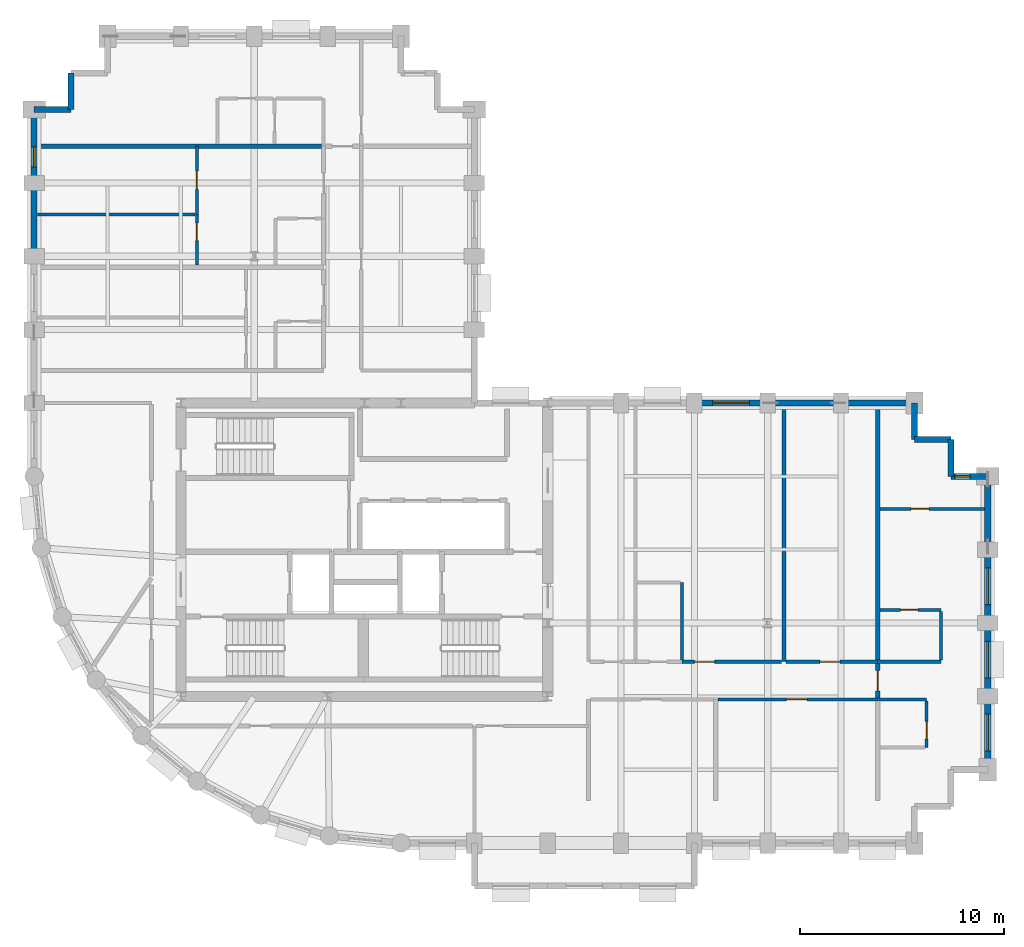
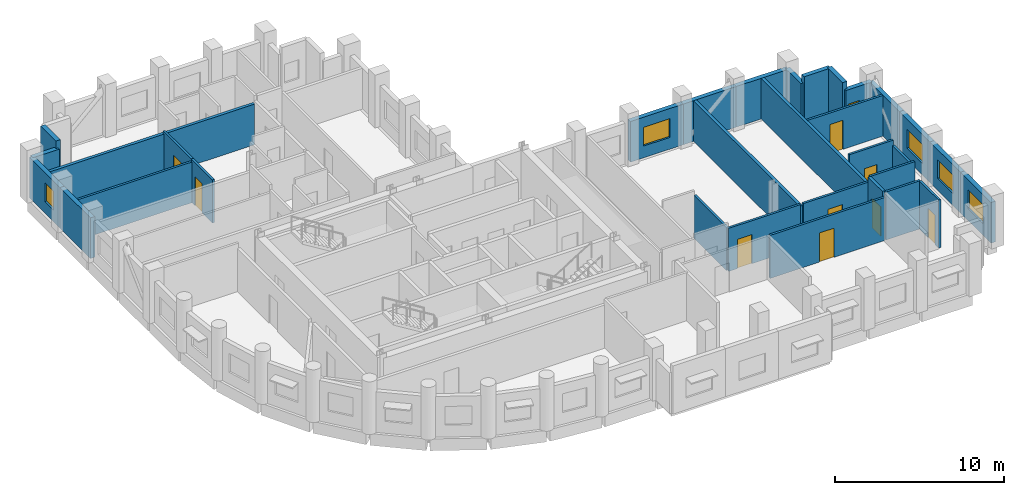
# One storey, part 6 of 11: 32 walls, 9 doors, 6 windows, 15 openings.
"""IFC4 building model written with IfcOpenShell, lengths in metres."""

import ifcopenshell
import ifcopenshell.guid

model = None  # the IFC model being written
_history = None  # IfcOwnerHistory: only IFC2X3 demands one
_inside = {}  # id of a spatial element -> (the spatial element, [elements in it])
_under = {}  # id of a project, library or spatial element -> (it, [spatial elements below it])
_declared = {}  # id of a project -> (the project, [libraries it declares])
_typed = {}  # id of a type object -> (the type object, [elements of that type])
_made_of = {}  # id of a material, layer set ... -> (it, [elements and type objects made of it])


def new_model(schema):
    """Start an empty IFC model of exactly this schema.

    Asked for "IFC4X3", IfcOpenShell would pick the latest addendum, in which some entities
    have other attributes; the version numbers below select the first issue.
    IFC2X3 requires an IfcOwnerHistory on every rooted entity: one is made here for all.
    """
    global model, _history
    if schema == "IFC4X3":
        model = ifcopenshell.file(schema_version=(4, 3, 0, 0))
    else:
        model = ifcopenshell.file(schema=schema)
    _inside.clear()
    _under.clear()
    _declared.clear()
    _typed.clear()
    _made_of.clear()
    _history = None
    if model.schema == "IFC2X3":
        org = make("IfcOrganization", Name="unknown")
        user = make(
            "IfcPersonAndOrganization",
            ThePerson=make("IfcPerson", FamilyName="unknown"),
            TheOrganization=org,
        )
        app = make(
            "IfcApplication",
            ApplicationDeveloper=org,
            Version="unknown",
            ApplicationFullName="unknown",
            ApplicationIdentifier="unknown",
        )
        _history = make(
            "IfcOwnerHistory",
            OwningUser=user,
            OwningApplication=app,
            ChangeAction="ADDED",
            CreationDate=0,
        )
    return model


def make(cls, **values):
    """One entity of the class cls with the attributes given. An attribute that is None is left unset."""
    return model.create_entity(
        cls, **{name: value for name, value in values.items() if value is not None}
    )


def rooted(cls, **values):
    """An entity with a GlobalId (a new one), such as an element, a storey or a relation."""
    return make(cls, GlobalId=ifcopenshell.guid.new(), OwnerHistory=_history, **values)


def si_unit(unit_type, name, prefix=None):
    """IfcSIUnit, for example si_unit("LENGTHUNIT", "METRE", prefix="MILLI")."""
    return make("IfcSIUnit", UnitType=unit_type, Prefix=prefix, Name=name)


def assignment(units):
    """IfcUnitAssignment: the units of a project."""
    return None if units is None else make("IfcUnitAssignment", Units=units)


def point(xyz):
    """IfcCartesianPoint."""
    return None if xyz is None else make("IfcCartesianPoint", Coordinates=xyz)


def direction(xyz):
    """IfcDirection."""
    return None if xyz is None else make("IfcDirection", DirectionRatios=xyz)


def frame(location, z_axis=None, x_axis=None):
    """IfcAxis2Placement3D, a coordinate frame: its origin and axes. An axis left out is left unset."""
    return make(
        "IfcAxis2Placement3D",
        Location=point(location),
        Axis=direction(z_axis),
        RefDirection=direction(x_axis),
    )


def frame_2d(location, x_axis=None):
    """IfcAxis2Placement2D, a coordinate frame in the plane: its origin and x axis."""
    return make(
        "IfcAxis2Placement2D", Location=point(location), RefDirection=direction(x_axis)
    )


def origin():
    """The frame at (0, 0, 0) with its axes left unset."""
    return frame((0.0, 0.0, 0.0))


def place(relative_to, where):
    """IfcLocalPlacement: puts the frame where relative to a parent placement (None: the world)."""
    return make(
        "IfcLocalPlacement", PlacementRelTo=relative_to, RelativePlacement=where
    )


def context(
    kind, dimensions, precision=None, world=None, true_north=None, identifier=None
):
    """IfcGeometricRepresentationContext, for example the 3D "Model" context."""
    return make(
        "IfcGeometricRepresentationContext",
        ContextIdentifier=identifier,
        ContextType=kind,
        CoordinateSpaceDimension=dimensions,
        Precision=precision,
        WorldCoordinateSystem=world,
        TrueNorth=true_north,
    )


def subcontext(parent, identifier, kind, view, scale=None):
    """IfcGeometricRepresentationSubContext, for example "Body" below "Model"."""
    return make(
        "IfcGeometricRepresentationSubContext",
        ContextIdentifier=identifier,
        ContextType=kind,
        ParentContext=parent,
        TargetScale=scale,
        TargetView=view,
    )


def project(units=None, contexts=None):
    """IfcProject with its units and contexts."""
    return rooted(
        "IfcProject",
        Name="project",
        RepresentationContexts=contexts,
        UnitsInContext=assignment(units),
    )


def spatial(cls, under=None, at=None, **own):
    """A site, building, storey or space (cls), placed at a placement, below another one or the project."""
    s = rooted(cls, ObjectPlacement=at, **own)
    if under is not None:
        _under.setdefault(under.id(), (under, []))[1].append(s)
    return s


def profile(cls, at=None, kind="AREA", **sizes):
    """A parametric profile (cls). Its sizes go by their IFC names, for example OverallWidth=200.0."""
    return make(cls, ProfileType=kind, Position=at, **sizes)


def rectangle(**sizes):
    """IfcRectangleProfileDef."""
    return profile("IfcRectangleProfileDef", **sizes)


def extrude(swept, where, along, depth):
    """IfcExtrudedAreaSolid: the profile swept, set in the frame where, extruded along a direction by depth."""
    return make(
        "IfcExtrudedAreaSolid",
        SweptArea=swept,
        Position=where,
        ExtrudedDirection=direction(along),
        Depth=depth,
    )


def shape(context_of_items, identifier, shape_type, items):
    """IfcShapeRepresentation: the items that make up one representation, for example the "Body"."""
    return make(
        "IfcShapeRepresentation",
        ContextOfItems=context_of_items,
        RepresentationIdentifier=identifier,
        RepresentationType=shape_type,
        Items=items,
    )


def material(Name=None, Category=None):
    """IfcMaterial."""
    return make("IfcMaterial", Name=Name, Category=Category)


def layer(
    of_material, thickness, ventilated=None, Name=None, Category=None, Priority=None
):
    """IfcMaterialLayer: one layer of a wall or slab, of a material (None: an air gap)."""
    return make(
        "IfcMaterialLayer",
        Material=of_material,
        LayerThickness=thickness,
        IsVentilated=ventilated,
        Name=Name,
        Category=Category,
        Priority=Priority,
    )


def layer_set(layers, Name=None):
    """IfcMaterialLayerSet."""
    return make("IfcMaterialLayerSet", MaterialLayers=layers, LayerSetName=Name)


def made_of(thing, what):
    """Note that an element or type object is made of a material, layer set ...; save() writes the relation."""
    if what is not None:
        _made_of.setdefault(what.id(), (what, []))[1].append(thing)
    return thing


def type_object(cls, material=None, **own):
    """A type object (cls), such as IfcWallType, which elements share."""
    return made_of(rooted(cls, **own), material)


def element(
    cls,
    number,
    at=None,
    inside=None,
    cuts=None,
    type_object=None,
    material=None,
    context=None,
    identifier="Body",
    shape_type=None,
    held_by="IfcProductDefinitionShape",
    body=None,
    shapes=None,
    **own,
):
    """One element of the class cls, such as IfcWall. Its Tag is "e" and its number.

    at: its placement. inside: the storey or other place that contains it. cuts: it is an
    opening in that element (IfcRelVoidsElement). A single representation is given by context,
    identifier, shape_type and body (its items); several are given by shapes. held_by: the class
    of the entity that holds the representations. save() writes the other relations.
    """
    e = rooted(cls, Tag="e%d" % number, ObjectPlacement=at, **own)
    if body is not None:
        shapes = [shape(context, identifier, shape_type, body)]
    if shapes is not None:
        e.Representation = make(held_by, Representations=shapes)
    if inside is not None:
        _inside.setdefault(inside.id(), (inside, []))[1].append(e)
    if cuts is not None:
        rooted(
            "IfcRelVoidsElement", RelatingBuildingElement=cuts, RelatedOpeningElement=e
        )
    if type_object is not None:
        _typed.setdefault(type_object.id(), (type_object, []))[1].append(e)
    return made_of(e, material)


def fill(opening, filler):
    """IfcRelFillsElement: the door or window that sits in an opening."""
    return rooted(
        "IfcRelFillsElement",
        RelatingOpeningElement=opening,
        RelatedBuildingElement=filler,
    )


def aggregate(whole, parts):
    """IfcRelAggregates: a whole, such as a stair, and the parts it consists of."""
    return rooted("IfcRelAggregates", RelatingObject=whole, RelatedObjects=parts)


def save(model, path):
    """Write the relations noted so far, then the file.

    IfcRelAggregates (storeys below a building ...), IfcRelContainedInSpatialStructure (elements
    in a storey), IfcRelDefinesByType, IfcRelAssociatesMaterial and IfcRelDeclares: one each for
    every whole, place, type object, material and project.
    """
    for whole, parts in _under.values():
        aggregate(whole, parts)
    for where, things in _inside.values():
        rooted(
            "IfcRelContainedInSpatialStructure",
            RelatedElements=things,
            RelatingStructure=where,
        )
    for kind, things in _typed.values():
        rooted("IfcRelDefinesByType", RelatedObjects=things, RelatingType=kind)
    for what, things in _made_of.values():
        rooted("IfcRelAssociatesMaterial", RelatedObjects=things, RelatingMaterial=what)
    for by, libraries in _declared.values():
        rooted("IfcRelDeclares", RelatingContext=by, RelatedDefinitions=libraries)
    model.write(path)


model = new_model("IFC4")

# Units and contexts
model_context = context("Model", 3, precision=1e-05, world=origin(), true_north=direction((0.0, 1.0)))
body_context = subcontext(model_context, "Body", "Model", "MODEL_VIEW")
ifc_project = project(units=[si_unit("LENGTHUNIT", "METRE"), si_unit("AREAUNIT", "SQUARE_METRE"), si_unit("VOLUMEUNIT", "CUBIC_METRE"), si_unit("PLANEANGLEUNIT", "RADIAN"), si_unit("MASSUNIT", "GRAM", prefix="KILO")], contexts=[model_context])

# Site, building, storey
site_placement = place(None, origin())
site = spatial("IfcSite", under=ifc_project, at=site_placement, CompositionType="ELEMENT")
building_placement = place(site_placement, origin())
building = spatial("IfcBuilding", under=site, at=building_placement, Name="Solnavia Interchange Tower", CompositionType="ELEMENT")
storey_placement = place(building_placement, frame((0.0, 0.0, 165.60009765625)))
storey = spatial("IfcBuildingStorey", under=building, at=storey_placement, Name="L41", CompositionType="ELEMENT", Elevation=165.60009765625)

# Walls
ifc_material_1 = material(Name="Gypsum Acoustic Twin-Stud & Mineral Wool", Category="gypsum")
ifc_layer_1 = layer(ifc_material_1, 0.199951171875)
ifc_layer_set_1 = layer_set([ifc_layer_1], Name="Gypsum Acoustic Twin-Stud & Mineral Wool")
wall_type_1 = type_object("IfcWallType", Name="Wall-ApartmentParty-200", PredefinedType="PARTITIONING", material=ifc_layer_set_1)
wall_1_placement = place(storey_placement, frame((43.989990234375, 12.5, 0.0), z_axis=(0.0, 0.0, 1.0), x_axis=(0.0, 1.0, 0.0)))
element("IfcWall", 1, at=wall_1_placement, inside=storey, type_object=wall_type_1, Name="PTW-L41-19 Interior partition wall", PredefinedType="PARTITIONING", context=body_context, shape_type="SweptSolid", body=[
    extrude(rectangle(XDim=12.5458984375, YDim=0.199951171875, at=frame_2d((6.27294921875, 0.0))), origin(), (0.0, 0.0, 1.0), 2.929931640625),
])
wall_2_placement = place(storey_placement, frame((48.60009765625, 12.5791015625, 0.0), z_axis=(0.0, 0.0, 1.0), x_axis=(0.0, 1.0, 0.0)))
element("IfcWall", 2, at=wall_2_placement, inside=storey, type_object=wall_type_1, Name="PTW-L41-23 Interior partition wall", PredefinedType="PARTITIONING", context=body_context, shape_type="SweptSolid", body=[
    extrude(rectangle(XDim=12.466796875, YDim=0.199951171875, at=frame_2d((6.2333984375, 0.0))), origin(), (0.0, 0.0, 1.0), 2.929931640625),
])

# Wall, opening, door
wall_3_placement = place(storey_placement, frame((48.60009765625, 10.72900390625, 0.0), z_axis=(0.0, 0.0, 1.0), x_axis=(0.0, 1.0, 0.0)))
wall_3 = element("IfcWall", 3, at=wall_3_placement, inside=storey, type_object=wall_type_1, Name="PTW-L41-24 Interior partition wall", PredefinedType="PARTITIONING", context=body_context, shape_type="SweptSolid", body=[
    extrude(rectangle(XDim=1.69189453125, YDim=0.199951171875, at=frame_2d((0.845947265625, 0.0))), origin(), (0.0, 0.0, 1.0), 3.46484375),
])
opening_1_placement = place(wall_3_placement, frame((0.339111328125, 0.0, 0.0)))
opening_1 = element("IfcOpeningElement", 4, at=opening_1_placement, cuts=wall_3, Name="Opening DR-06", PredefinedType="OPENING", context=body_context, shape_type="SweptSolid", body=[
    extrude(rectangle(XDim=1.0, YDim=2.10009765625, at=frame_2d((0.5, 1.050048828125))), frame((0.0, 0.10986328125, 0.0), z_axis=(0.0, -1.0, 0.0), x_axis=(1.0, 0.0, 0.0)), (0.0, 0.0, 1.0), 0.219970703125),
])
ifc_material_2 = material(Name="Engineered Timber Acoustic Fire Door", Category="wood")
door_type_1 = type_object("IfcDoorType", Name="Door-FlatEntry-1000x2100", OperationType="SINGLE_SWING_LEFT", PredefinedType="DOOR", material=ifc_material_2)
door_1_placement = place(opening_1_placement, origin())
door_1 = element("IfcDoor", 5, at=door_1_placement, inside=storey, type_object=door_type_1, Name="DR-L41-11 Interior room door", OperationType="SINGLE_SWING_RIGHT", OverallHeight=2.10009765625, OverallWidth=1.0, PredefinedType="DOOR", context=body_context, shape_type="SweptSolid", body=[
    extrude(rectangle(XDim=1.0, YDim=2.10009765625, at=frame_2d((0.5, 1.050048828125))), frame((0.0, 0.02490234375, 0.0), z_axis=(0.0, -1.0, 0.0), x_axis=(1.0, 0.0, 0.0)), (0.0, 0.0, 1.0), 0.050048828125),
])
fill(opening_1, door_1)

# Wall
wall_4_placement = place(storey_placement, frame((7.35400390625, 37.800048828125, 0.0), z_axis=(0.0, 0.0, 1.0), x_axis=(1.0, 0.0, 0.0)))
element("IfcWall", 6, at=wall_4_placement, inside=storey, type_object=wall_type_1, Name="PTW-L41-50 Interior partition wall", PredefinedType="PARTITIONING", context=body_context, shape_type="SweptSolid", body=[
    extrude(rectangle(XDim=13.94189453125, YDim=0.199951171875, at=frame_2d((6.970947265625, 0.0))), origin(), (0.0, 0.0, 1.0), 2.929931640625),
])

# Wall, opening, window
ifc_material_3 = material(Name="Concrete C40/50", Category="concrete")
ifc_layer_2 = layer(ifc_material_3, 0.300048828125)
ifc_layer_set_2 = layer_set([ifc_layer_2], Name="Concrete C40/50")
wall_type_2 = type_object("IfcWallType", Name="Wall-ExtSpandrel-300", PredefinedType="STANDARD", material=ifc_layer_set_2)
wall_5_placement = place(storey_placement, frame((54.0, 10.800048828125, 0.0), z_axis=(0.0, 0.0, 1.0), x_axis=(0.0, -1.0, 0.0)))
wall_5 = element("IfcWall", 7, at=wall_5_placement, inside=storey, type_object=wall_type_2, Name="EXW-L41-14 Exterior precast spandrel wall", PredefinedType="STANDARD", context=body_context, shape_type="SweptSolid", body=[
    extrude(rectangle(XDim=3.60009765625, YDim=0.300048828125, at=frame_2d((1.800048828125, 0.0))), origin(), (0.0, 0.0, 1.0), 2.929931640625),
])
opening_2_placement = place(wall_5_placement, frame((0.875, 0.0, 0.85009765625)))
opening_2 = element("IfcOpeningElement", 8, at=opening_2_placement, cuts=wall_5, Name="Opening WIN-02", PredefinedType="OPENING", context=body_context, shape_type="SweptSolid", body=[
    extrude(rectangle(XDim=1.800048828125, YDim=1.35009765625, at=frame_2d((0.89990234375, 0.675048828125))), frame((0.0, 0.16015625, 0.0), z_axis=(0.0, -1.0, 0.0), x_axis=(1.0, 0.0, 0.0)), (0.0, 0.0, 1.0), 0.320068359375),
])
ifc_material_4 = material(Name="Thermal-Break Aluminium & Low-E Glass", Category="aluminium")
window_type_1 = type_object("IfcWindowType", Name="Window-Ribbon-1800x1350", PartitioningType="SINGLE_PANEL", PredefinedType="WINDOW", material=ifc_material_4)
window_1_placement = place(opening_2_placement, origin())
window_1 = element("IfcWindow", 9, at=window_1_placement, inside=storey, type_object=window_type_1, Name="WIN-L41-14 Facade ribbon window", OverallHeight=1.35009765625, OverallWidth=1.800048828125, PartitioningType="SINGLE_PANEL", PredefinedType="WINDOW", context=body_context, shape_type="SweptSolid", body=[
    extrude(rectangle(XDim=1.800048828125, YDim=1.35009765625, at=frame_2d((0.89990234375, 0.675048828125))), frame((0.0, 0.030029296875, 0.0), z_axis=(0.0, -1.0, 0.0), x_axis=(1.0, 0.0, 0.0)), (0.0, 0.0, 1.0), 0.06005859375),
])
fill(opening_2, window_1)

wall_6_placement = place(storey_placement, frame((54.0, 14.39990234375, 0.0), z_axis=(0.0, 0.0, 1.0), x_axis=(0.0, -1.0, 0.0)))
wall_6 = element("IfcWall", 10, at=wall_6_placement, inside=storey, type_object=wall_type_2, Name="EXW-L41-15 Exterior precast spandrel wall", PredefinedType="STANDARD", context=body_context, shape_type="SweptSolid", body=[
    extrude(rectangle(XDim=3.599853515625, YDim=0.300048828125, at=frame_2d((1.7998046875, 0.0))), origin(), (0.0, 0.0, 1.0), 2.929931640625),
])
opening_3_placement = place(wall_6_placement, frame((0.89990234375, 0.0, 0.85009765625)))
opening_3 = element("IfcOpeningElement", 11, at=opening_3_placement, cuts=wall_6, Name="Opening WIN-02", PredefinedType="OPENING", context=body_context, shape_type="SweptSolid", body=[
    extrude(rectangle(XDim=1.800048828125, YDim=1.35009765625, at=frame_2d((0.89990234375, 0.675048828125))), frame((0.0, 0.16015625, 0.0), z_axis=(0.0, -1.0, 0.0), x_axis=(1.0, 0.0, 0.0)), (0.0, 0.0, 1.0), 0.320068359375),
])
window_2_placement = place(opening_3_placement, origin())
window_2 = element("IfcWindow", 12, at=window_2_placement, inside=storey, type_object=window_type_1, Name="WIN-L41-15 Facade ribbon window", OverallHeight=1.35009765625, OverallWidth=1.800048828125, PartitioningType="SINGLE_PANEL", PredefinedType="WINDOW", context=body_context, shape_type="SweptSolid", body=[
    extrude(rectangle(XDim=1.800048828125, YDim=1.35009765625, at=frame_2d((0.89990234375, 0.675048828125))), frame((0.0, 0.030029296875, 0.0), z_axis=(0.0, -1.0, 0.0), x_axis=(1.0, 0.0, 0.0)), (0.0, 0.0, 1.0), 0.06005859375),
])
fill(opening_3, window_2)

wall_7_placement = place(storey_placement, frame((54.0, 18.0, 0.0), z_axis=(0.0, 0.0, 1.0), x_axis=(0.0, -1.0, 0.0)))
wall_7 = element("IfcWall", 13, at=wall_7_placement, inside=storey, type_object=wall_type_2, Name="EXW-L41-16 Exterior precast spandrel wall", PredefinedType="STANDARD", context=body_context, shape_type="SweptSolid", body=[
    extrude(rectangle(XDim=3.60009765625, YDim=0.300048828125, at=frame_2d((1.800048828125, 0.0))), origin(), (0.0, 0.0, 1.0), 2.929931640625),
])
opening_4_placement = place(wall_7_placement, frame((0.89990234375, 0.0, 0.85009765625)))
opening_4 = element("IfcOpeningElement", 14, at=opening_4_placement, cuts=wall_7, Name="Opening WIN-02", PredefinedType="OPENING", context=body_context, shape_type="SweptSolid", body=[
    extrude(rectangle(XDim=1.800048828125, YDim=1.35009765625, at=frame_2d((0.89990234375, 0.675048828125))), frame((0.0, 0.16015625, 0.0), z_axis=(0.0, -1.0, 0.0), x_axis=(1.0, 0.0, 0.0)), (0.0, 0.0, 1.0), 0.320068359375),
])
window_3_placement = place(opening_4_placement, origin())
window_3 = element("IfcWindow", 15, at=window_3_placement, inside=storey, type_object=window_type_1, Name="WIN-L41-16 Facade ribbon window", OverallHeight=1.35009765625, OverallWidth=1.800048828125, PartitioningType="SINGLE_PANEL", PredefinedType="WINDOW", context=body_context, shape_type="SweptSolid", body=[
    extrude(rectangle(XDim=1.800048828125, YDim=1.35009765625, at=frame_2d((0.89990234375, 0.675048828125))), frame((0.0, 0.030029296875, 0.0), z_axis=(0.0, -1.0, 0.0), x_axis=(1.0, 0.0, 0.0)), (0.0, 0.0, 1.0), 0.06005859375),
])
fill(opening_4, window_3)

# Wall
wall_8_placement = place(storey_placement, frame((54.0, 21.60009765625, 0.0), z_axis=(0.0, 0.0, 1.0), x_axis=(0.0, -1.0, 0.0)))
element("IfcWall", 16, at=wall_8_placement, inside=storey, type_object=wall_type_2, Name="EXW-L41-17 Exterior precast spandrel wall", PredefinedType="STANDARD", context=body_context, shape_type="SweptSolid", body=[
    extrude(rectangle(XDim=3.60009765625, YDim=0.300048828125, at=frame_2d((1.800048828125, 0.0))), origin(), (0.0, 0.0, 1.0), 2.929931640625),
])

# Wall, opening, window
wall_9_placement = place(storey_placement, frame((52.199951171875, 21.60009765625, 0.0), z_axis=(0.0, 0.0, 1.0), x_axis=(1.0, 0.0, 0.0)))
wall_9 = element("IfcWall", 17, at=wall_9_placement, inside=storey, type_object=wall_type_2, Name="EXW-L41-18 Exterior precast spandrel wall", PredefinedType="STANDARD", context=body_context, shape_type="SweptSolid", body=[
    extrude(rectangle(XDim=1.800048828125, YDim=0.300048828125, at=frame_2d((0.89990234375, 0.0))), origin(), (0.0, 0.0, 1.0), 2.929931640625),
])
opening_5_placement = place(wall_9_placement, frame((0.179931640625, 0.0, 0.85009765625)))
opening_5 = element("IfcOpeningElement", 18, at=opening_5_placement, cuts=wall_9, Name="Opening WIN-08", PredefinedType="OPENING", context=body_context, shape_type="SweptSolid", body=[
    extrude(rectangle(XDim=0.75, YDim=1.050048828125, at=frame_2d((0.375, 0.52490234375))), frame((0.0, 0.16015625, 0.0), z_axis=(0.0, -1.0, 0.0), x_axis=(1.0, 0.0, 0.0)), (0.0, 0.0, 1.0), 0.320068359375),
])
window_type_2 = type_object("IfcWindowType", Name="Window-Bedroom-750x1050", PartitioningType="SINGLE_PANEL", PredefinedType="WINDOW", material=ifc_material_4)
window_4_placement = place(opening_5_placement, origin())
window_4 = element("IfcWindow", 19, at=window_4_placement, inside=storey, type_object=window_type_2, Name="WIN-L41-DW01 Dwelling bedroom window", OverallHeight=1.050048828125, OverallWidth=0.75, PartitioningType="SINGLE_PANEL", PredefinedType="WINDOW", context=body_context, shape_type="SweptSolid", body=[
    extrude(rectangle(XDim=0.75, YDim=1.050048828125, at=frame_2d((0.375, 0.52490234375))), frame((0.0, 0.030029296875, 0.0), z_axis=(0.0, -1.0, 0.0), x_axis=(1.0, 0.0, 0.0)), (0.0, 0.0, 1.0), 0.06005859375),
])
fill(opening_5, window_4)

# Walls
wall_10_placement = place(storey_placement, frame((52.199951171875, 23.39990234375, 0.0), z_axis=(0.0, 0.0, 1.0), x_axis=(0.0, -1.0, 0.0)))
element("IfcWall", 20, at=wall_10_placement, inside=storey, type_object=wall_type_2, Name="EXW-L41-19 Exterior precast spandrel wall", PredefinedType="STANDARD", context=body_context, shape_type="SweptSolid", body=[
    extrude(rectangle(XDim=1.7998046875, YDim=0.300048828125, at=frame_2d((0.89990234375, 0.0))), origin(), (0.0, 0.0, 1.0), 3.46484375),
])
wall_11_placement = place(storey_placement, frame((50.39990234375, 23.39990234375, 0.0), z_axis=(0.0, 0.0, 1.0), x_axis=(1.0, 0.0, 0.0)))
element("IfcWall", 21, at=wall_11_placement, inside=storey, type_object=wall_type_2, Name="EXW-L41-20 Exterior precast spandrel wall", PredefinedType="STANDARD", context=body_context, shape_type="SweptSolid", body=[
    extrude(rectangle(XDim=1.800048828125, YDim=0.300048828125, at=frame_2d((0.89990234375, 0.0))), origin(), (0.0, 0.0, 1.0), 3.46484375),
])
wall_12_placement = place(storey_placement, frame((50.39990234375, 25.199951171875, 0.0), z_axis=(0.0, 0.0, 1.0), x_axis=(0.0, -1.0, 0.0)))
element("IfcWall", 22, at=wall_12_placement, inside=storey, type_object=wall_type_2, Name="EXW-L41-21 Exterior precast spandrel wall", PredefinedType="STANDARD", context=body_context, shape_type="SweptSolid", body=[
    extrude(rectangle(XDim=1.800048828125, YDim=0.300048828125, at=frame_2d((0.89990234375, 0.0))), origin(), (0.0, 0.0, 1.0), 2.929931640625),
])
wall_13_placement = place(storey_placement, frame((46.800048828125, 25.199951171875, 0.0), z_axis=(0.0, 0.0, 1.0), x_axis=(1.0, 0.0, 0.0)))
element("IfcWall", 23, at=wall_13_placement, inside=storey, type_object=wall_type_2, Name="EXW-L41-22 Exterior precast spandrel wall", PredefinedType="STANDARD", context=body_context, shape_type="SweptSolid", body=[
    extrude(rectangle(XDim=3.599853515625, YDim=0.300048828125, at=frame_2d((1.7998046875, 0.0))), origin(), (0.0, 0.0, 1.0), 2.929931640625),
])
wall_14_placement = place(storey_placement, frame((43.199951171875, 25.199951171875, 0.0), z_axis=(0.0, 0.0, 1.0), x_axis=(1.0, 0.0, 0.0)))
element("IfcWall", 24, at=wall_14_placement, inside=storey, type_object=wall_type_2, Name="EXW-L41-23 Exterior precast spandrel wall", PredefinedType="STANDARD", context=body_context, shape_type="SweptSolid", body=[
    extrude(rectangle(XDim=3.60009765625, YDim=0.300048828125, at=frame_2d((1.800048828125, 0.0))), origin(), (0.0, 0.0, 1.0), 2.929931640625),
])

# Wall, opening, window
wall_15_placement = place(storey_placement, frame((39.60009765625, 25.199951171875, 0.0), z_axis=(0.0, 0.0, 1.0), x_axis=(1.0, 0.0, 0.0)))
wall_15 = element("IfcWall", 25, at=wall_15_placement, inside=storey, type_object=wall_type_2, Name="EXW-L41-24 Exterior precast spandrel wall", PredefinedType="STANDARD", context=body_context, shape_type="SweptSolid", body=[
    extrude(rectangle(XDim=3.599853515625, YDim=0.300048828125, at=frame_2d((1.7998046875, 0.0))), origin(), (0.0, 0.0, 1.0), 2.929931640625),
])
opening_6_placement = place(wall_15_placement, frame((0.89990234375, 0.0, 0.85009765625)))
opening_6 = element("IfcOpeningElement", 26, at=opening_6_placement, cuts=wall_15, Name="Opening WIN-02", PredefinedType="OPENING", context=body_context, shape_type="SweptSolid", body=[
    extrude(rectangle(XDim=1.800048828125, YDim=1.35009765625, at=frame_2d((0.89990234375, 0.675048828125))), frame((0.0, 0.16015625, 0.0), z_axis=(0.0, -1.0, 0.0), x_axis=(1.0, 0.0, 0.0)), (0.0, 0.0, 1.0), 0.320068359375),
])
window_5_placement = place(opening_6_placement, origin())
window_5 = element("IfcWindow", 27, at=window_5_placement, inside=storey, type_object=window_type_1, Name="WIN-L41-24 Facade ribbon window", OverallHeight=1.35009765625, OverallWidth=1.800048828125, PartitioningType="SINGLE_PANEL", PredefinedType="WINDOW", context=body_context, shape_type="SweptSolid", body=[
    extrude(rectangle(XDim=1.800048828125, YDim=1.35009765625, at=frame_2d((0.89990234375, 0.675048828125))), frame((0.0, 0.030029296875, 0.0), z_axis=(0.0, -1.0, 0.0), x_axis=(1.0, 0.0, 0.0)), (0.0, 0.0, 1.0), 0.06005859375),
])
fill(opening_6, window_5)

# Walls
wall_16_placement = place(storey_placement, frame((9.0, 39.60009765625, 0.0), z_axis=(0.0, 0.0, 1.0), x_axis=(0.0, 1.0, 0.0)))
element("IfcWall", 28, at=wall_16_placement, inside=storey, type_object=wall_type_2, Name="EXW-L41-42 Exterior precast spandrel wall", PredefinedType="STANDARD", context=body_context, shape_type="SweptSolid", body=[
    extrude(rectangle(XDim=1.7998046875, YDim=0.300048828125, at=frame_2d((0.89990234375, 0.0))), origin(), (0.0, 0.0, 1.0), 3.46484375),
])
wall_17_placement = place(storey_placement, frame((7.199951171875, 39.60009765625, 0.0), z_axis=(0.0, 0.0, 1.0), x_axis=(1.0, 0.0, 0.0)))
element("IfcWall", 29, at=wall_17_placement, inside=storey, type_object=wall_type_2, Name="EXW-L41-43 Exterior precast spandrel wall", PredefinedType="STANDARD", context=body_context, shape_type="SweptSolid", body=[
    extrude(rectangle(XDim=1.800048828125, YDim=0.300048828125, at=frame_2d((0.89990234375, 0.0))), origin(), (0.0, 0.0, 1.0), 2.929931640625),
])

# Wall, opening, window
wall_18_placement = place(storey_placement, frame((7.199951171875, 36.0, 0.0), z_axis=(0.0, 0.0, 1.0), x_axis=(0.0, 1.0, 0.0)))
wall_18 = element("IfcWall", 30, at=wall_18_placement, inside=storey, type_object=wall_type_2, Name="EXW-L41-44 Exterior precast spandrel wall", PredefinedType="STANDARD", context=body_context, shape_type="SweptSolid", body=[
    extrude(rectangle(XDim=3.60009765625, YDim=0.300048828125, at=frame_2d((1.800048828125, 0.0))), origin(), (0.0, 0.0, 1.0), 2.929931640625),
])
opening_7_placement = place(wall_18_placement, frame((0.76904296875, 0.0, 0.85009765625)))
opening_7 = element("IfcOpeningElement", 31, at=opening_7_placement, cuts=wall_18, Name="Opening WIN-07", PredefinedType="OPENING", context=body_context, shape_type="SweptSolid", body=[
    extrude(rectangle(XDim=1.0, YDim=1.35009765625, at=frame_2d((0.5, 0.675048828125))), frame((0.0, 0.16015625, 0.0), z_axis=(0.0, -1.0, 0.0), x_axis=(1.0, 0.0, 0.0)), (0.0, 0.0, 1.0), 0.320068359375),
])
window_type_3 = type_object("IfcWindowType", Name="Window-Bedroom-1000x1350", PartitioningType="SINGLE_PANEL", PredefinedType="WINDOW", material=ifc_material_4)
window_6_placement = place(opening_7_placement, origin())
window_6 = element("IfcWindow", 32, at=window_6_placement, inside=storey, type_object=window_type_3, Name="WIN-L41-DW02 Dwelling bedroom window", OverallHeight=1.35009765625, OverallWidth=1.0, PartitioningType="SINGLE_PANEL", PredefinedType="WINDOW", context=body_context, shape_type="SweptSolid", body=[
    extrude(rectangle(XDim=1.0, YDim=1.35009765625, at=frame_2d((0.5, 0.675048828125))), frame((0.0, 0.030029296875, 0.0), z_axis=(0.0, -1.0, 0.0), x_axis=(1.0, 0.0, 0.0)), (0.0, 0.0, 1.0), 0.06005859375),
])
fill(opening_7, window_6)

# Wall
wall_19_placement = place(storey_placement, frame((7.199951171875, 32.39990234375, 0.0), z_axis=(0.0, 0.0, 1.0), x_axis=(0.0, 1.0, 0.0)))
element("IfcWall", 33, at=wall_19_placement, inside=storey, type_object=wall_type_2, Name="EXW-L41-45 Exterior precast spandrel wall", PredefinedType="STANDARD", context=body_context, shape_type="SweptSolid", body=[
    extrude(rectangle(XDim=3.60009765625, YDim=0.300048828125, at=frame_2d((1.800048828125, 0.0))), origin(), (0.0, 0.0, 1.0), 2.929931640625),
])

# Wall, opening, door
ifc_material_5 = material(Name="Gypsum Plasterboard & Steel Stud", Category="steel")
ifc_layer_3 = layer(ifc_material_5, 0.14990234375)
ifc_layer_set_3 = layer_set([ifc_layer_3], Name="Gypsum Plasterboard & Steel Stud")
wall_type_3 = type_object("IfcWallType", Name="Wall-Partition-150", PredefinedType="PARTITIONING", material=ifc_layer_set_3)
wall_20_placement = place(storey_placement, frame((40.75390625, 10.64990234375, 0.0), z_axis=(0.0, 0.0, 1.0), x_axis=(1.0, 0.0, 0.0)))
wall_20 = element("IfcWall", 34, at=wall_20_placement, inside=storey, type_object=wall_type_3, Name="PTW-L41-18 Interior partition wall", PredefinedType="PARTITIONING", context=body_context, shape_type="SweptSolid", body=[
    extrude(rectangle(XDim=7.84619140625, YDim=0.14990234375, at=frame_2d((3.923095703125, 0.0))), origin(), (0.0, 0.0, 1.0), 3.099853515625),
])
opening_8_placement = place(wall_20_placement, frame((3.37109375, 0.0, 0.0)))
opening_8 = element("IfcOpeningElement", 35, at=opening_8_placement, cuts=wall_20, Name="Opening DR-07", PredefinedType="OPENING", context=body_context, shape_type="SweptSolid", body=[
    extrude(rectangle(XDim=1.0, YDim=2.10009765625, at=frame_2d((0.5, 1.050048828125))), frame((0.0, 0.0849609375, 0.0), z_axis=(0.0, -1.0, 0.0), x_axis=(1.0, 0.0, 0.0)), (0.0, 0.0, 1.0), 0.169921875),
])
ifc_material_6 = material(Name="Timber & Acoustic Glazed Office Door", Category="wood")
door_type_2 = type_object("IfcDoorType", Name="Door-Office-1000x2100", OperationType="SINGLE_SWING_RIGHT", PredefinedType="DOOR", material=ifc_material_6)
door_2_placement = place(opening_8_placement, origin())
door_2 = element("IfcDoor", 36, at=door_2_placement, inside=storey, type_object=door_type_2, Name="DR-L41-08 Interior room door", OperationType="SINGLE_SWING_RIGHT", OverallHeight=2.10009765625, OverallWidth=1.0, PredefinedType="DOOR", context=body_context, shape_type="SweptSolid", body=[
    extrude(rectangle(XDim=1.0, YDim=2.10009765625, at=frame_2d((0.5, 1.050048828125))), frame((0.0, 0.02490234375, 0.0), z_axis=(0.0, -1.0, 0.0), x_axis=(1.0, 0.0, 0.0)), (0.0, 0.0, 1.0), 0.050048828125),
])
fill(opening_8, door_2)

wall_21_placement = place(storey_placement, frame((39.0, 12.5, 0.0), z_axis=(0.0, 0.0, 1.0), x_axis=(1.0, 0.0, 0.0)))
wall_21 = element("IfcWall", 37, at=wall_21_placement, inside=storey, type_object=wall_type_3, Name="PTW-L41-20 Interior partition wall", PredefinedType="PARTITIONING", context=body_context, shape_type="SweptSolid", body=[
    extrude(rectangle(XDim=4.885986328125, YDim=0.14990234375, at=frame_2d((2.44287109375, 0.0))), origin(), (0.0, 0.0, 1.0), 3.099853515625),
])
opening_9_placement = place(wall_21_placement, frame((0.59912109375, 0.0, 0.0)))
opening_9 = element("IfcOpeningElement", 38, at=opening_9_placement, cuts=wall_21, Name="Opening DR-07", PredefinedType="OPENING", context=body_context, shape_type="SweptSolid", body=[
    extrude(rectangle(XDim=1.0, YDim=2.10009765625, at=frame_2d((0.5, 1.050048828125))), frame((0.0, 0.0849609375, 0.0), z_axis=(0.0, -1.0, 0.0), x_axis=(1.0, 0.0, 0.0)), (0.0, 0.0, 1.0), 0.169921875),
])
door_3_placement = place(opening_9_placement, origin())
door_3 = element("IfcDoor", 39, at=door_3_placement, inside=storey, type_object=door_type_2, Name="DR-L41-09 Interior room door", OperationType="SINGLE_SWING_RIGHT", OverallHeight=2.10009765625, OverallWidth=1.0, PredefinedType="DOOR", context=body_context, shape_type="SweptSolid", body=[
    extrude(rectangle(XDim=1.0, YDim=2.10009765625, at=frame_2d((0.5, 1.050048828125))), frame((0.0, 0.02490234375, 0.0), z_axis=(0.0, -1.0, 0.0), x_axis=(1.0, 0.0, 0.0)), (0.0, 0.0, 1.0), 0.050048828125),
])
fill(opening_9, door_3)

wall_22_placement = place(storey_placement, frame((44.093994140625, 12.5, 0.0), z_axis=(0.0, 0.0, 1.0), x_axis=(1.0, 0.0, 0.0)))
wall_22 = element("IfcWall", 40, at=wall_22_placement, inside=storey, type_object=wall_type_3, Name="PTW-L41-21 Interior partition wall", PredefinedType="PARTITIONING", context=body_context, shape_type="SweptSolid", body=[
    extrude(rectangle(XDim=4.506103515625, YDim=0.14990234375, at=frame_2d((2.2529296875, 0.0))), origin(), (0.0, 0.0, 1.0), 3.099853515625),
])
opening_10_placement = place(wall_22_placement, frame((1.662109375, 0.0, 0.0)))
opening_10 = element("IfcOpeningElement", 41, at=opening_10_placement, cuts=wall_22, Name="Opening DR-07", PredefinedType="OPENING", context=body_context, shape_type="SweptSolid", body=[
    extrude(rectangle(XDim=1.0, YDim=2.10009765625, at=frame_2d((0.5, 1.050048828125))), frame((0.0, 0.0849609375, 0.0), z_axis=(0.0, -1.0, 0.0), x_axis=(1.0, 0.0, 0.0)), (0.0, 0.0, 1.0), 0.169921875),
])
door_4_placement = place(opening_10_placement, origin())
door_4 = element("IfcDoor", 42, at=door_4_placement, inside=storey, type_object=door_type_2, Name="DR-L41-10 Interior room door", OperationType="SINGLE_SWING_RIGHT", OverallHeight=2.10009765625, OverallWidth=1.0, PredefinedType="DOOR", context=body_context, shape_type="SweptSolid", body=[
    extrude(rectangle(XDim=1.0, YDim=2.10009765625, at=frame_2d((0.5, 1.050048828125))), frame((0.0, 0.02490234375, 0.0), z_axis=(0.0, -1.0, 0.0), x_axis=(1.0, 0.0, 0.0)), (0.0, 0.0, 1.0), 0.050048828125),
])
fill(opening_10, door_4)

wall_23_placement = place(storey_placement, frame((48.7041015625, 20.0, 0.0), z_axis=(0.0, 0.0, 1.0), x_axis=(1.0, 0.0, 0.0)))
wall_23 = element("IfcWall", 43, at=wall_23_placement, inside=storey, type_object=wall_type_3, Name="PTW-L41-28 Interior partition wall", PredefinedType="PARTITIONING", context=body_context, shape_type="SweptSolid", body=[
    extrude(rectangle(XDim=5.141845703125, YDim=0.14990234375, at=frame_2d((2.57080078125, 0.0))), origin(), (0.0, 0.0, 1.0), 2.929931640625),
])
opening_11_placement = place(wall_23_placement, frame((1.51611328125, 0.0, 0.0)))
opening_11 = element("IfcOpeningElement", 44, at=opening_11_placement, cuts=wall_23, Name="Opening DR-09", PredefinedType="OPENING", context=body_context, shape_type="SweptSolid", body=[
    extrude(rectangle(XDim=0.89990234375, YDim=2.10009765625, at=frame_2d((0.449951171875, 1.050048828125))), frame((0.0, 0.0849609375, 0.0), z_axis=(0.0, -1.0, 0.0), x_axis=(1.0, 0.0, 0.0)), (0.0, 0.0, 1.0), 0.169921875),
])
ifc_material_7 = material(Name="Engineered Oak Veneer Door", Category="wood")
door_type_3 = type_object("IfcDoorType", Name="Door-Internal-900x2100", OperationType="SINGLE_SWING_LEFT", PredefinedType="DOOR", material=ifc_material_7)
door_5_placement = place(opening_11_placement, origin())
door_5 = element("IfcDoor", 45, at=door_5_placement, inside=storey, type_object=door_type_3, Name="DR-L41-13 Interior room door", OperationType="SINGLE_SWING_LEFT", OverallHeight=2.10009765625, OverallWidth=0.89990234375, PredefinedType="DOOR", context=body_context, shape_type="SweptSolid", body=[
    extrude(rectangle(XDim=0.89990234375, YDim=2.10009765625, at=frame_2d((0.449951171875, 1.050048828125))), frame((0.0, 0.02490234375, 0.0), z_axis=(0.0, -1.0, 0.0), x_axis=(1.0, 0.0, 0.0)), (0.0, 0.0, 1.0), 0.050048828125),
])
fill(opening_11, door_5)

wall_24_placement = place(storey_placement, frame((15.179931640625, 34.4599609375, 0.0), z_axis=(0.0, 0.0, 1.0), x_axis=(0.0, 1.0, 0.0)))
wall_24 = element("IfcWall", 46, at=wall_24_placement, inside=storey, type_object=wall_type_3, Name="PTW-L41-45 Interior partition wall", PredefinedType="PARTITIONING", context=body_context, shape_type="SweptSolid", body=[
    extrude(rectangle(XDim=3.340087890625, YDim=0.14990234375, at=frame_2d((1.669921875, 0.0))), origin(), (0.0, 0.0, 1.0), 3.099853515625),
])
opening_12_placement = place(wall_24_placement, frame((1.219970703125, 0.0, 0.0)))
opening_12 = element("IfcOpeningElement", 47, at=opening_12_placement, cuts=wall_24, Name="Opening DR-09", PredefinedType="OPENING", context=body_context, shape_type="SweptSolid", body=[
    extrude(rectangle(XDim=0.89990234375, YDim=2.10009765625, at=frame_2d((0.449951171875, 1.050048828125))), frame((0.0, 0.0849609375, 0.0), z_axis=(0.0, -1.0, 0.0), x_axis=(1.0, 0.0, 0.0)), (0.0, 0.0, 1.0), 0.169921875),
])
door_6_placement = place(opening_12_placement, origin())
door_6 = element("IfcDoor", 48, at=door_6_placement, inside=storey, type_object=door_type_3, Name="DR-L41-21 Interior room door", OperationType="SINGLE_SWING_LEFT", OverallHeight=2.10009765625, OverallWidth=0.89990234375, PredefinedType="DOOR", context=body_context, shape_type="SweptSolid", body=[
    extrude(rectangle(XDim=0.89990234375, YDim=2.10009765625, at=frame_2d((0.449951171875, 1.050048828125))), frame((0.0, 0.02490234375, 0.0), z_axis=(0.0, -1.0, 0.0), x_axis=(1.0, 0.0, 0.0)), (0.0, 0.0, 1.0), 0.050048828125),
])
fill(opening_12, door_6)

# Walls
ifc_material_8 = material(Name="Moisture-Resistant Gypsum & Steel Stud", Category="steel")
ifc_layer_4 = layer(ifc_material_8, 0.14990234375)
ifc_layer_set_4 = layer_set([ifc_layer_4], Name="Moisture-Resistant Gypsum & Steel Stud")
wall_type_4 = type_object("IfcWallType", Name="Wall-WetRoom-150", PredefinedType="PARTITIONING", material=ifc_layer_set_4)
wall_25_placement = place(storey_placement, frame((39.0, 12.5791015625, 0.0), z_axis=(0.0, 0.0, 1.0), x_axis=(0.0, 1.0, 0.0)))
element("IfcWall", 49, at=wall_25_placement, inside=storey, type_object=wall_type_4, Name="PTW-L41-05 Interior partition wall", PredefinedType="PARTITIONING", context=body_context, shape_type="SweptSolid", body=[
    extrude(rectangle(XDim=3.82080078125, YDim=0.14990234375, at=frame_2d((1.910400390625, 0.0))), origin(), (0.0, 0.0, 1.0), 3.099853515625),
])
wall_26_placement = place(storey_placement, frame((48.64599609375, 10.64990234375, 0.0), z_axis=(0.0, 0.0, 1.0), x_axis=(1.0, 0.0, 0.0)))
element("IfcWall", 50, at=wall_26_placement, inside=storey, type_object=wall_type_4, Name="PTW-L41-25 Interior partition wall", PredefinedType="PARTITIONING", context=body_context, shape_type="SweptSolid", body=[
    extrude(rectangle(XDim=2.35400390625, YDim=0.14990234375, at=frame_2d((1.177001953125, 0.0))), origin(), (0.0, 0.0, 1.0), 3.46484375),
])

# Wall, opening, door
wall_27_placement = place(storey_placement, frame((51.0, 8.300048828125, 0.0), z_axis=(0.0, 0.0, 1.0), x_axis=(0.0, 1.0, 0.0)))
wall_27 = element("IfcWall", 51, at=wall_27_placement, inside=storey, type_object=wall_type_4, Name="PTW-L41-26 Interior partition wall", PredefinedType="PARTITIONING", context=body_context, shape_type="SweptSolid", body=[
    extrude(rectangle(XDim=2.27099609375, YDim=0.14990234375, at=frame_2d((1.135498046875, 0.0))), origin(), (0.0, 0.0, 1.0), 3.46484375),
])
opening_13_placement = place(wall_27_placement, frame((0.419921875, 0.0, 0.0)))
opening_13 = element("IfcOpeningElement", 52, at=opening_13_placement, cuts=wall_27, Name="Opening DR-10", PredefinedType="OPENING", context=body_context, shape_type="SweptSolid", body=[
    extrude(rectangle(XDim=0.85009765625, YDim=2.10009765625, at=frame_2d((0.425048828125, 1.050048828125))), frame((0.0, 0.0849609375, 0.0), z_axis=(0.0, -1.0, 0.0), x_axis=(1.0, 0.0, 0.0)), (0.0, 0.0, 1.0), 0.169921875),
])
ifc_material_9 = material(Name="Moisture-Resistant Timber Door", Category="wood")
door_type_4 = type_object("IfcDoorType", Name="Door-Bathroom-850x2100", OperationType="SINGLE_SWING_RIGHT", PredefinedType="DOOR", material=ifc_material_9)
door_7_placement = place(opening_13_placement, origin())
door_7 = element("IfcDoor", 53, at=door_7_placement, inside=storey, type_object=door_type_4, Name="DR-L41-12 Interior room door", OperationType="SINGLE_SWING_RIGHT", OverallHeight=2.10009765625, OverallWidth=0.85009765625, PredefinedType="DOOR", context=body_context, shape_type="SweptSolid", body=[
    extrude(rectangle(XDim=0.85009765625, YDim=2.10009765625, at=frame_2d((0.425048828125, 1.050048828125))), frame((0.0, 0.02490234375, 0.0), z_axis=(0.0, -1.0, 0.0), x_axis=(1.0, 0.0, 0.0)), (0.0, 0.0, 1.0), 0.050048828125),
])
fill(opening_13, door_7)

# Wall
wall_28_placement = place(storey_placement, frame((48.64599609375, 12.5, 0.0), z_axis=(0.0, 0.0, 1.0), x_axis=(1.0, 0.0, 0.0)))
element("IfcWall", 54, at=wall_28_placement, inside=storey, type_object=wall_type_4, Name="PTW-L41-29 Interior partition wall", PredefinedType="PARTITIONING", context=body_context, shape_type="SweptSolid", body=[
    extrude(rectangle(XDim=3.053955078125, YDim=0.14990234375, at=frame_2d((1.52685546875, 0.0))), origin(), (0.0, 0.0, 1.0), 3.46484375),
])

# Wall, opening, door
wall_29_placement = place(storey_placement, frame((48.7041015625, 15.050048828125, 0.0), z_axis=(0.0, 0.0, 1.0), x_axis=(1.0, 0.0, 0.0)))
wall_29 = element("IfcWall", 55, at=wall_29_placement, inside=storey, type_object=wall_type_4, Name="PTW-L41-30 Interior partition wall", PredefinedType="PARTITIONING", context=body_context, shape_type="SweptSolid", body=[
    extrude(rectangle(XDim=2.995849609375, YDim=0.14990234375, at=frame_2d((1.498046875, 0.0))), origin(), (0.0, 0.0, 1.0), 3.46484375),
])
opening_14_placement = place(wall_29_placement, frame((1.02099609375, 0.0, 0.0)))
opening_14 = element("IfcOpeningElement", 56, at=opening_14_placement, cuts=wall_29, Name="Opening DR-10", PredefinedType="OPENING", context=body_context, shape_type="SweptSolid", body=[
    extrude(rectangle(XDim=0.85009765625, YDim=2.10009765625, at=frame_2d((0.425048828125, 1.050048828125))), frame((0.0, 0.0849609375, 0.0), z_axis=(0.0, -1.0, 0.0), x_axis=(1.0, 0.0, 0.0)), (0.0, 0.0, 1.0), 0.169921875),
])
door_8_placement = place(opening_14_placement, origin())
door_8 = element("IfcDoor", 57, at=door_8_placement, inside=storey, type_object=door_type_4, Name="DR-L41-14 Interior room door", OperationType="SINGLE_SWING_LEFT", OverallHeight=2.10009765625, OverallWidth=0.85009765625, PredefinedType="DOOR", context=body_context, shape_type="SweptSolid", body=[
    extrude(rectangle(XDim=0.85009765625, YDim=2.10009765625, at=frame_2d((0.425048828125, 1.050048828125))), frame((0.0, 0.02490234375, 0.0), z_axis=(0.0, -1.0, 0.0), x_axis=(1.0, 0.0, 0.0)), (0.0, 0.0, 1.0), 0.050048828125),
])
fill(opening_14, door_8)

# Wall
wall_30_placement = place(storey_placement, frame((51.699951171875, 12.5791015625, 0.0), z_axis=(0.0, 0.0, 1.0), x_axis=(0.0, 1.0, 0.0)))
element("IfcWall", 58, at=wall_30_placement, inside=storey, type_object=wall_type_4, Name="PTW-L41-31 Interior partition wall", PredefinedType="PARTITIONING", context=body_context, shape_type="SweptSolid", body=[
    extrude(rectangle(XDim=2.391845703125, YDim=0.14990234375, at=frame_2d((1.19580078125, 0.0))), origin(), (0.0, 0.0, 1.0), 3.099853515625),
])

# Wall, opening, door
wall_31_placement = place(storey_placement, frame((15.179931640625, 31.964111328125, 0.0), z_axis=(0.0, 0.0, 1.0), x_axis=(0.0, 1.0, 0.0)))
wall_31 = element("IfcWall", 59, at=wall_31_placement, inside=storey, type_object=wall_type_4, Name="PTW-L41-46 Interior partition wall", PredefinedType="PARTITIONING", context=body_context, shape_type="SweptSolid", body=[
    extrude(rectangle(XDim=2.495849609375, YDim=0.14990234375, at=frame_2d((1.248046875, 0.0))), origin(), (0.0, 0.0, 1.0), 3.10986328125),
])
opening_15_placement = place(wall_31_placement, frame((1.20703125, 0.0, 0.0)))
opening_15 = element("IfcOpeningElement", 60, at=opening_15_placement, cuts=wall_31, Name="Opening DR-10", PredefinedType="OPENING", context=body_context, shape_type="SweptSolid", body=[
    extrude(rectangle(XDim=0.85009765625, YDim=2.10009765625, at=frame_2d((0.425048828125, 1.050048828125))), frame((0.0, 0.0849609375, 0.0), z_axis=(0.0, -1.0, 0.0), x_axis=(1.0, 0.0, 0.0)), (0.0, 0.0, 1.0), 0.169921875),
])
door_9_placement = place(opening_15_placement, origin())
door_9 = element("IfcDoor", 61, at=door_9_placement, inside=storey, type_object=door_type_4, Name="DR-L41-22 Interior room door", OperationType="SINGLE_SWING_RIGHT", OverallHeight=2.10009765625, OverallWidth=0.85009765625, PredefinedType="DOOR", context=body_context, shape_type="SweptSolid", body=[
    extrude(rectangle(XDim=0.85009765625, YDim=2.10009765625, at=frame_2d((0.425048828125, 1.050048828125))), frame((0.0, 0.02490234375, 0.0), z_axis=(0.0, -1.0, 0.0), x_axis=(1.0, 0.0, 0.0)), (0.0, 0.0, 1.0), 0.050048828125),
])
fill(opening_15, door_9)

# Wall
wall_32_placement = place(storey_placement, frame((7.35400390625, 34.4599609375, 0.0), z_axis=(0.0, 0.0, 1.0), x_axis=(1.0, 0.0, 0.0)))
element("IfcWall", 62, at=wall_32_placement, inside=storey, type_object=wall_type_4, Name="PTW-L41-47 Interior partition wall", PredefinedType="PARTITIONING", context=body_context, shape_type="SweptSolid", body=[
    extrude(rectangle(XDim=7.7470703125, YDim=0.14990234375, at=frame_2d((3.87353515625, 0.0))), origin(), (0.0, 0.0, 1.0), 2.929931640625),
])

save(model, "model.ifc")
